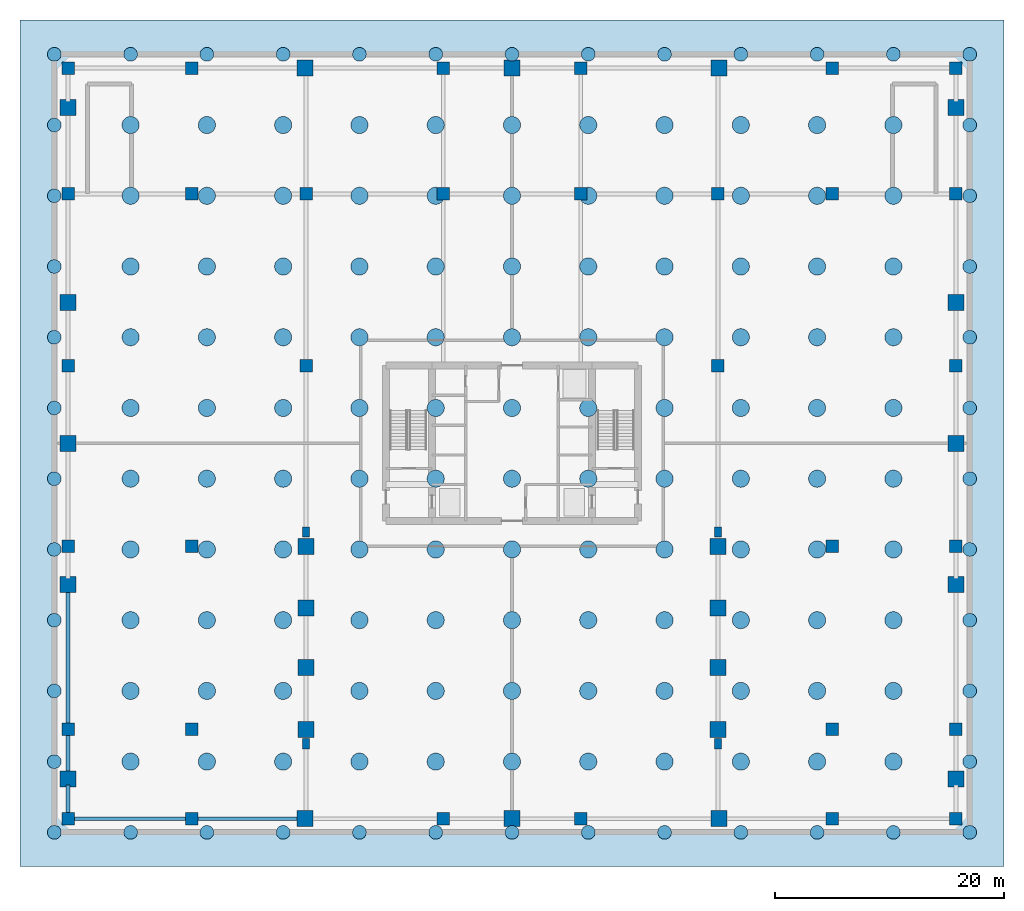
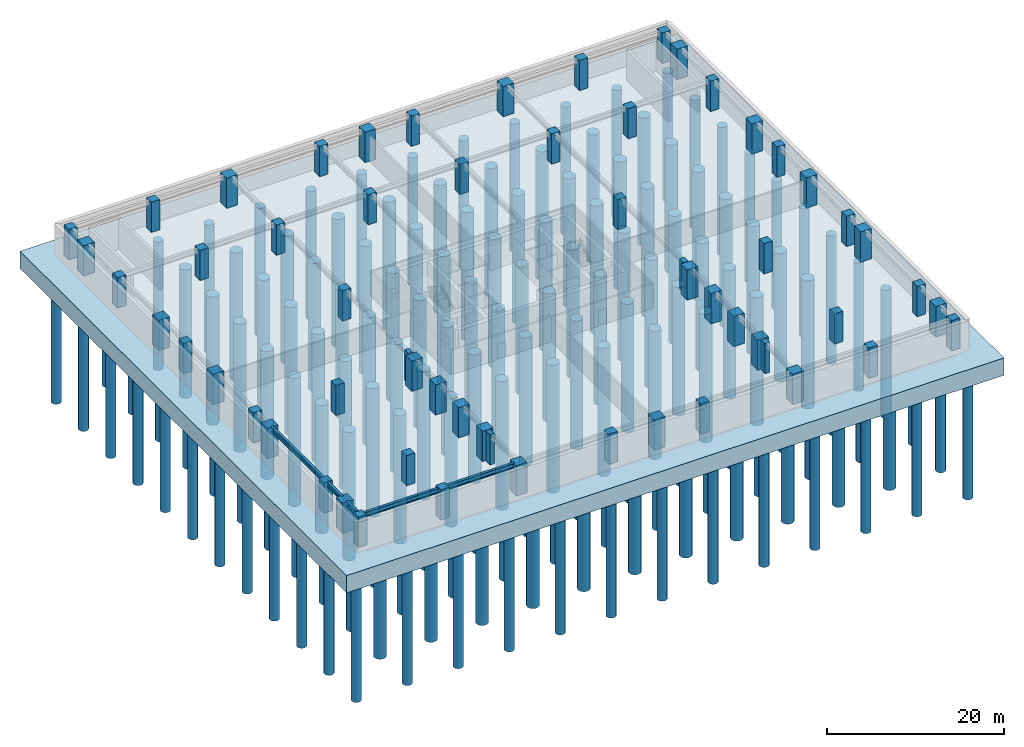
# One storey, part 1 of 8: 156 piles, 60 columns, 5 beams, 1 footing.
"""IFC4 building model written with IfcOpenShell, lengths in metres."""

from ifc_helpers import new_model, si_unit, direction, frame, origin, origin_2d, place, context, subcontext, project, spatial, polyline, rectangle, circle, i_section, outline, extrude, material, layer, layer_set, material_profile, profile_set, type_object, element, save


model = new_model("IFC4")

# Units and contexts
model_context = context("Model", 3, precision=1e-05, world=origin(), true_north=direction((0.0, 1.0)))
body_context = subcontext(model_context, "Body", "Model", "MODEL_VIEW")
ifc_project = project(units=[si_unit("LENGTHUNIT", "METRE"), si_unit("AREAUNIT", "SQUARE_METRE"), si_unit("VOLUMEUNIT", "CUBIC_METRE"), si_unit("PLANEANGLEUNIT", "RADIAN"), si_unit("MASSUNIT", "GRAM", prefix="KILO")], contexts=[model_context])

# Site, building, storey
site_placement = place(None, origin())
site = spatial("IfcSite", under=ifc_project, at=site_placement, CompositionType="ELEMENT")
building_placement = place(site_placement, origin())
building = spatial("IfcBuilding", under=site, at=building_placement, Name="Sarneth Arch Tower", CompositionType="ELEMENT")
storey_placement = place(building_placement, frame((0.0, 0.0, -9.0)))
storey = spatial("IfcBuildingStorey", under=building, at=storey_placement, Name="B02", CompositionType="ELEMENT", Elevation=-9.0)

# Footing
ifc_material_1 = material(Name="Concrete C60/75", Category="concrete")
ifc_layer = layer(ifc_material_1, 2.39990234375)
ifc_layer_set = layer_set([ifc_layer], Name="Concrete C60/75")
footing_type = type_object("IfcFootingType", Name="FTG-RAFT-2400", PredefinedType="PILE_CAP", material=ifc_layer_set)
footing_placement = place(storey_placement, frame((0.0, 0.0, -2.800048828125)))
element("IfcFooting", 1, at=footing_placement, inside=storey, type_object=footing_type, Name="Combined piled foundation raft FT-1", PredefinedType="PILE_CAP", context=body_context, shape_type="SweptSolid", body=[
    extrude(outline(polyline([(5.0, 5.0), (91.0, 5.0), (91.0, 79.0), (5.0, 79.0), (5.0, 5.0)])), origin(), (0.0, 0.0, 1.0), 2.400146484375),
])

# Piles
ifc_material_2 = material(Name="Concrete C60/75", Category="concrete")
ifc_material_profile_1 = material_profile(ifc_material_2, circle(Radius=0.60009765625, at=origin_2d()), Name="PILE-D1200")
ifc_profile_set_1 = profile_set([ifc_material_profile_1], Name="Concrete C60/75")
pile_type_1 = type_object("IfcPileType", Name="PILE-BORED-1200", PredefinedType="BORED", material=ifc_profile_set_1)
for number, where, z_axis, x_axis, name in (
    (2, (8.0, 8.0, -2.64990234375), (0.0, 0.0, -1.0), (1.0, 0.0, 0.0), "Bored pile P2-001"),
    (3, (8.0, 14.181884765625, -2.64990234375), (0.0, 0.0, -1.0), (1.0, 0.0, 0.0), "Bored pile P2-002"),
    (4, (8.0, 20.363525390625, -2.64990234375), (0.0, 0.0, -1.0), (1.0, 0.0, 0.0), "Bored pile P2-003"),
    (5, (8.0, 26.54541015625, -2.64990234375), (0.0, 0.0, -1.0), (1.0, 0.0, 0.0), "Bored pile P2-004"),
    (6, (8.0, 32.727294921875, -2.64990234375), (0.0, 0.0, -1.0), (1.0, 0.0, 0.0), "Bored pile P2-005"),
    (7, (8.0, 38.9091796875, -2.64990234375), (0.0, 0.0, -1.0), (1.0, 0.0, 0.0), "Bored pile P2-006"),
    (8, (8.0, 45.0908203125, -2.64990234375), (0.0, 0.0, -1.0), (1.0, 0.0, 0.0), "Bored pile P2-007"),
    (9, (8.0, 51.272705078125, -2.64990234375), (0.0, 0.0, -1.0), (1.0, 0.0, 0.0), "Bored pile P2-008"),
    (10, (8.0, 57.45458984375, -2.64990234375), (0.0, 0.0, -1.0), (1.0, 0.0, 0.0), "Bored pile P2-009"),
    (11, (8.0, 63.636474609375, -2.64990234375), (0.0, 0.0, -1.0), (1.0, 0.0, 0.0), "Bored pile P2-010"),
    (12, (8.0, 69.818115234375, -2.64990234375), (0.0, 0.0, -1.0), (1.0, 0.0, 0.0), "Bored pile P2-011"),
    (13, (8.0, 76.0, -2.64990234375), (0.0, 0.0, -1.0), (1.0, 0.0, 0.0), "Bored pile P2-012"),
    (14, (14.666748046875, 8.0, -2.64990234375), (0.0, 0.0, -1.0), (1.0, 0.0, 0.0), "Bored pile P2-013"),
    (15, (14.666748046875, 76.0, -2.64990234375), (0.0, 0.0, -1.0), (1.0, 0.0, 0.0), "Bored pile P2-024"),
    (16, (21.333251953125, 8.0, -2.64990234375), (0.0, 0.0, -1.0), (1.0, 0.0, 0.0), "Bored pile P2-025"),
    (17, (21.333251953125, 76.0, -2.64990234375), (0.0, 0.0, -1.0), (1.0, 0.0, 0.0), "Bored pile P2-036"),
    (18, (28.0, 8.0, -2.64990234375), (0.0, 0.0, -1.0), (1.0, 0.0, 0.0), "Bored pile P2-037"),
    (19, (28.0, 76.0, -2.64990234375), (0.0, 0.0, -1.0), (1.0, 0.0, 0.0), "Bored pile P2-048"),
    (20, (34.666748046875, 8.0, -2.64990234375), (0.0, 0.0, -1.0), (1.0, 0.0, 0.0), "Bored pile P2-049"),
    (21, (34.666748046875, 76.0, -2.64990234375), (0.0, 0.0, -1.0), (1.0, 0.0, 0.0), "Bored pile P2-060"),
    (22, (41.333251953125, 8.0, -2.64990234375), (0.0, 0.0, -1.0), (1.0, 0.0, 0.0), "Bored pile P2-061"),
    (23, (41.333251953125, 76.0, -2.64990234375), (0.0, 0.0, -1.0), (1.0, 0.0, 0.0), "Bored pile P2-072"),
    (24, (48.0, 8.0, -2.64990234375), (0.0, 0.0, -1.0), (1.0, 0.0, 0.0), "Bored pile P2-073"),
    (25, (48.0, 76.0, -2.64990234375), (0.0, 0.0, -1.0), (1.0, 0.0, 0.0), "Bored pile P2-084"),
    (26, (54.666748046875, 8.0, -2.64990234375), (0.0, 0.0, -1.0), (1.0, 0.0, 0.0), "Bored pile P2-085"),
    (27, (54.666748046875, 76.0, -2.64990234375), (0.0, 0.0, -1.0), (1.0, 0.0, 0.0), "Bored pile P2-096"),
    (28, (61.333251953125, 8.0, -2.64990234375), (0.0, 0.0, -1.0), (1.0, 0.0, 0.0), "Bored pile P2-097"),
    (29, (61.333251953125, 76.0, -2.64990234375), (0.0, 0.0, -1.0), (1.0, 0.0, 0.0), "Bored pile P2-108"),
    (30, (68.0, 8.0, -2.64990234375), (0.0, 0.0, -1.0), (1.0, 0.0, 0.0), "Bored pile P2-109"),
    (31, (68.0, 76.0, -2.64990234375), (0.0, 0.0, -1.0), (1.0, 0.0, 0.0), "Bored pile P2-120"),
    (32, (74.666748046875, 8.0, -2.64990234375), (0.0, 0.0, -1.0), (1.0, 0.0, 0.0), "Bored pile P2-121"),
    (33, (74.666748046875, 76.0, -2.64990234375), (0.0, 0.0, -1.0), (1.0, 0.0, 0.0), "Bored pile P2-132"),
    (34, (81.333251953125, 8.0, -2.64990234375), (0.0, 0.0, -1.0), (1.0, 0.0, 0.0), "Bored pile P2-133"),
    (35, (81.333251953125, 76.0, -2.64990234375), (0.0, 0.0, -1.0), (1.0, 0.0, 0.0), "Bored pile P2-144"),
    (36, (88.0, 8.0, -2.64990234375), (0.0, 0.0, -1.0), (1.0, 0.0, 0.0), "Bored pile P2-145"),
    (37, (88.0, 14.181884765625, -2.64990234375), (0.0, 0.0, -1.0), (1.0, 0.0, 0.0), "Bored pile P2-146"),
    (38, (88.0, 20.363525390625, -2.64990234375), (0.0, 0.0, -1.0), (1.0, 0.0, 0.0), "Bored pile P2-147"),
    (39, (88.0, 26.54541015625, -2.64990234375), (0.0, 0.0, -1.0), (1.0, 0.0, 0.0), "Bored pile P2-148"),
    (40, (88.0, 32.727294921875, -2.64990234375), (0.0, 0.0, -1.0), (1.0, 0.0, 0.0), "Bored pile P2-149"),
    (41, (88.0, 38.9091796875, -2.64990234375), (0.0, 0.0, -1.0), (1.0, 0.0, 0.0), "Bored pile P2-150"),
    (42, (88.0, 45.0908203125, -2.64990234375), (0.0, 0.0, -1.0), (1.0, 0.0, 0.0), "Bored pile P2-151"),
    (43, (88.0, 51.272705078125, -2.64990234375), (0.0, 0.0, -1.0), (1.0, 0.0, 0.0), "Bored pile P2-152"),
    (44, (88.0, 57.45458984375, -2.64990234375), (0.0, 0.0, -1.0), (1.0, 0.0, 0.0), "Bored pile P2-153"),
    (45, (88.0, 63.636474609375, -2.64990234375), (0.0, 0.0, -1.0), (1.0, 0.0, 0.0), "Bored pile P2-154"),
    (46, (88.0, 69.818115234375, -2.64990234375), (0.0, 0.0, -1.0), (1.0, 0.0, 0.0), "Bored pile P2-155"),
    (47, (88.0, 76.0, -2.64990234375), (0.0, 0.0, -1.0), (1.0, 0.0, 0.0), "Bored pile P2-156"),
):
    element("IfcPile", number, at=place(storey_placement, frame(where, z_axis=z_axis, x_axis=x_axis)), inside=storey, type_object=pile_type_1, Name=name, PredefinedType="BORED", context=body_context, shape_type="SweptSolid", body=[
        extrude(circle(Radius=0.60009765625, at=origin_2d()), origin(), (0.0, 0.0, 1.0), 17.75),
    ])
ifc_material_3 = material(Name="Concrete C60/75", Category="concrete")
ifc_material_profile_2 = material_profile(ifc_material_3, circle(Radius=0.75, at=origin_2d()), Name="PILE-D1500")
ifc_profile_set_2 = profile_set([ifc_material_profile_2], Name="Concrete C60/75")
pile_type_2 = type_object("IfcPileType", Name="PILE-BORED-1500", PredefinedType="BORED", material=ifc_profile_set_2)
for number, where, z_axis, x_axis, name in (
    (48, (14.666748046875, 14.181884765625, -2.64990234375), (0.0, 0.0, -1.0), (1.0, 0.0, 0.0), "Bored pile P1-014"),
    (49, (14.666748046875, 20.363525390625, -2.64990234375), (0.0, 0.0, -1.0), (1.0, 0.0, 0.0), "Bored pile P1-015"),
    (50, (14.666748046875, 26.54541015625, -2.64990234375), (0.0, 0.0, -1.0), (1.0, 0.0, 0.0), "Bored pile P1-016"),
    (51, (14.666748046875, 32.727294921875, -2.64990234375), (0.0, 0.0, -1.0), (1.0, 0.0, 0.0), "Bored pile P1-017"),
    (52, (14.666748046875, 38.9091796875, -2.64990234375), (0.0, 0.0, -1.0), (1.0, 0.0, 0.0), "Bored pile P1-018"),
    (53, (14.666748046875, 45.0908203125, -2.64990234375), (0.0, 0.0, -1.0), (1.0, 0.0, 0.0), "Bored pile P1-019"),
    (54, (14.666748046875, 51.272705078125, -2.64990234375), (0.0, 0.0, -1.0), (1.0, 0.0, 0.0), "Bored pile P1-020"),
    (55, (14.666748046875, 57.45458984375, -2.64990234375), (0.0, 0.0, -1.0), (1.0, 0.0, 0.0), "Bored pile P1-021"),
    (56, (14.666748046875, 63.636474609375, -2.64990234375), (0.0, 0.0, -1.0), (1.0, 0.0, 0.0), "Bored pile P1-022"),
    (57, (14.666748046875, 69.818115234375, -2.64990234375), (0.0, 0.0, -1.0), (1.0, 0.0, 0.0), "Bored pile P1-023"),
    (58, (21.333251953125, 14.181884765625, -2.64990234375), (0.0, 0.0, -1.0), (1.0, 0.0, 0.0), "Bored pile P1-026"),
    (59, (21.333251953125, 20.363525390625, -2.64990234375), (0.0, 0.0, -1.0), (1.0, 0.0, 0.0), "Bored pile P1-027"),
    (60, (21.333251953125, 26.54541015625, -2.64990234375), (0.0, 0.0, -1.0), (1.0, 0.0, 0.0), "Bored pile P1-028"),
    (61, (21.333251953125, 32.727294921875, -2.64990234375), (0.0, 0.0, -1.0), (1.0, 0.0, 0.0), "Bored pile P1-029"),
    (62, (21.333251953125, 38.9091796875, -2.64990234375), (0.0, 0.0, -1.0), (1.0, 0.0, 0.0), "Bored pile P1-030"),
    (63, (21.333251953125, 45.0908203125, -2.64990234375), (0.0, 0.0, -1.0), (1.0, 0.0, 0.0), "Bored pile P1-031"),
    (64, (21.333251953125, 51.272705078125, -2.64990234375), (0.0, 0.0, -1.0), (1.0, 0.0, 0.0), "Bored pile P1-032"),
    (65, (21.333251953125, 57.45458984375, -2.64990234375), (0.0, 0.0, -1.0), (1.0, 0.0, 0.0), "Bored pile P1-033"),
    (66, (21.333251953125, 63.636474609375, -2.64990234375), (0.0, 0.0, -1.0), (1.0, 0.0, 0.0), "Bored pile P1-034"),
    (67, (21.333251953125, 69.818115234375, -2.64990234375), (0.0, 0.0, -1.0), (1.0, 0.0, 0.0), "Bored pile P1-035"),
    (68, (28.0, 14.181884765625, -2.64990234375), (0.0, 0.0, -1.0), (1.0, 0.0, 0.0), "Bored pile P1-038"),
    (69, (28.0, 20.363525390625, -2.64990234375), (0.0, 0.0, -1.0), (1.0, 0.0, 0.0), "Bored pile P1-039"),
    (70, (28.0, 26.54541015625, -2.64990234375), (0.0, 0.0, -1.0), (1.0, 0.0, 0.0), "Bored pile P1-040"),
    (71, (28.0, 32.727294921875, -2.64990234375), (0.0, 0.0, -1.0), (1.0, 0.0, 0.0), "Bored pile P1-041"),
    (72, (28.0, 38.9091796875, -2.64990234375), (0.0, 0.0, -1.0), (1.0, 0.0, 0.0), "Bored pile P1-042"),
    (73, (28.0, 45.0908203125, -2.64990234375), (0.0, 0.0, -1.0), (1.0, 0.0, 0.0), "Bored pile P1-043"),
    (74, (28.0, 51.272705078125, -2.64990234375), (0.0, 0.0, -1.0), (1.0, 0.0, 0.0), "Bored pile P1-044"),
    (75, (28.0, 57.45458984375, -2.64990234375), (0.0, 0.0, -1.0), (1.0, 0.0, 0.0), "Bored pile P1-045"),
    (76, (28.0, 63.636474609375, -2.64990234375), (0.0, 0.0, -1.0), (1.0, 0.0, 0.0), "Bored pile P1-046"),
    (77, (28.0, 69.818115234375, -2.64990234375), (0.0, 0.0, -1.0), (1.0, 0.0, 0.0), "Bored pile P1-047"),
    (78, (34.666748046875, 14.181884765625, -2.64990234375), (0.0, 0.0, -1.0), (1.0, 0.0, 0.0), "Bored pile P1-050"),
    (79, (34.666748046875, 20.363525390625, -2.64990234375), (0.0, 0.0, -1.0), (1.0, 0.0, 0.0), "Bored pile P1-051"),
    (80, (34.666748046875, 26.54541015625, -2.64990234375), (0.0, 0.0, -1.0), (1.0, 0.0, 0.0), "Bored pile P1-052"),
    (81, (34.666748046875, 32.727294921875, -2.64990234375), (0.0, 0.0, -1.0), (1.0, 0.0, 0.0), "Bored pile P1-053"),
    (82, (34.666748046875, 38.9091796875, -2.64990234375), (0.0, 0.0, -1.0), (1.0, 0.0, 0.0), "Bored pile P1-054"),
    (83, (34.666748046875, 45.0908203125, -2.64990234375), (0.0, 0.0, -1.0), (1.0, 0.0, 0.0), "Bored pile P1-055"),
    (84, (34.666748046875, 51.272705078125, -2.64990234375), (0.0, 0.0, -1.0), (1.0, 0.0, 0.0), "Bored pile P1-056"),
    (85, (34.666748046875, 57.45458984375, -2.64990234375), (0.0, 0.0, -1.0), (1.0, 0.0, 0.0), "Bored pile P1-057"),
    (86, (34.666748046875, 63.636474609375, -2.64990234375), (0.0, 0.0, -1.0), (1.0, 0.0, 0.0), "Bored pile P1-058"),
    (87, (34.666748046875, 69.818115234375, -2.64990234375), (0.0, 0.0, -1.0), (1.0, 0.0, 0.0), "Bored pile P1-059"),
    (88, (41.333251953125, 14.181884765625, -2.64990234375), (0.0, 0.0, -1.0), (1.0, 0.0, 0.0), "Bored pile P1-062"),
    (89, (41.333251953125, 20.363525390625, -2.64990234375), (0.0, 0.0, -1.0), (1.0, 0.0, 0.0), "Bored pile P1-063"),
    (90, (41.333251953125, 26.54541015625, -2.64990234375), (0.0, 0.0, -1.0), (1.0, 0.0, 0.0), "Bored pile P1-064"),
    (91, (41.333251953125, 32.727294921875, -2.64990234375), (0.0, 0.0, -1.0), (1.0, 0.0, 0.0), "Bored pile P1-065"),
    (92, (41.333251953125, 38.9091796875, -2.64990234375), (0.0, 0.0, -1.0), (1.0, 0.0, 0.0), "Bored pile P1-066"),
    (93, (41.333251953125, 45.0908203125, -2.64990234375), (0.0, 0.0, -1.0), (1.0, 0.0, 0.0), "Bored pile P1-067"),
    (94, (41.333251953125, 51.272705078125, -2.64990234375), (0.0, 0.0, -1.0), (1.0, 0.0, 0.0), "Bored pile P1-068"),
    (95, (41.333251953125, 57.45458984375, -2.64990234375), (0.0, 0.0, -1.0), (1.0, 0.0, 0.0), "Bored pile P1-069"),
    (96, (41.333251953125, 63.636474609375, -2.64990234375), (0.0, 0.0, -1.0), (1.0, 0.0, 0.0), "Bored pile P1-070"),
    (97, (41.333251953125, 69.818115234375, -2.64990234375), (0.0, 0.0, -1.0), (1.0, 0.0, 0.0), "Bored pile P1-071"),
    (98, (48.0, 14.181884765625, -2.64990234375), (0.0, 0.0, -1.0), (1.0, 0.0, 0.0), "Bored pile P1-074"),
    (99, (48.0, 20.363525390625, -2.64990234375), (0.0, 0.0, -1.0), (1.0, 0.0, 0.0), "Bored pile P1-075"),
    (100, (48.0, 26.54541015625, -2.64990234375), (0.0, 0.0, -1.0), (1.0, 0.0, 0.0), "Bored pile P1-076"),
    (101, (48.0, 32.727294921875, -2.64990234375), (0.0, 0.0, -1.0), (1.0, 0.0, 0.0), "Bored pile P1-077"),
    (102, (48.0, 38.9091796875, -2.64990234375), (0.0, 0.0, -1.0), (1.0, 0.0, 0.0), "Bored pile P1-078"),
    (103, (48.0, 45.0908203125, -2.64990234375), (0.0, 0.0, -1.0), (1.0, 0.0, 0.0), "Bored pile P1-079"),
    (104, (48.0, 51.272705078125, -2.64990234375), (0.0, 0.0, -1.0), (1.0, 0.0, 0.0), "Bored pile P1-080"),
    (105, (48.0, 57.45458984375, -2.64990234375), (0.0, 0.0, -1.0), (1.0, 0.0, 0.0), "Bored pile P1-081"),
    (106, (48.0, 63.636474609375, -2.64990234375), (0.0, 0.0, -1.0), (1.0, 0.0, 0.0), "Bored pile P1-082"),
    (107, (48.0, 69.818115234375, -2.64990234375), (0.0, 0.0, -1.0), (1.0, 0.0, 0.0), "Bored pile P1-083"),
    (108, (54.666748046875, 14.181884765625, -2.64990234375), (0.0, 0.0, -1.0), (1.0, 0.0, 0.0), "Bored pile P1-086"),
    (109, (54.666748046875, 20.363525390625, -2.64990234375), (0.0, 0.0, -1.0), (1.0, 0.0, 0.0), "Bored pile P1-087"),
    (110, (54.666748046875, 26.54541015625, -2.64990234375), (0.0, 0.0, -1.0), (1.0, 0.0, 0.0), "Bored pile P1-088"),
    (111, (54.666748046875, 32.727294921875, -2.64990234375), (0.0, 0.0, -1.0), (1.0, 0.0, 0.0), "Bored pile P1-089"),
    (112, (54.666748046875, 38.9091796875, -2.64990234375), (0.0, 0.0, -1.0), (1.0, 0.0, 0.0), "Bored pile P1-090"),
    (113, (54.666748046875, 45.0908203125, -2.64990234375), (0.0, 0.0, -1.0), (1.0, 0.0, 0.0), "Bored pile P1-091"),
    (114, (54.666748046875, 51.272705078125, -2.64990234375), (0.0, 0.0, -1.0), (1.0, 0.0, 0.0), "Bored pile P1-092"),
    (115, (54.666748046875, 57.45458984375, -2.64990234375), (0.0, 0.0, -1.0), (1.0, 0.0, 0.0), "Bored pile P1-093"),
    (116, (54.666748046875, 63.636474609375, -2.64990234375), (0.0, 0.0, -1.0), (1.0, 0.0, 0.0), "Bored pile P1-094"),
    (117, (54.666748046875, 69.818115234375, -2.64990234375), (0.0, 0.0, -1.0), (1.0, 0.0, 0.0), "Bored pile P1-095"),
    (118, (61.333251953125, 14.181884765625, -2.64990234375), (0.0, 0.0, -1.0), (1.0, 0.0, 0.0), "Bored pile P1-098"),
    (119, (61.333251953125, 20.363525390625, -2.64990234375), (0.0, 0.0, -1.0), (1.0, 0.0, 0.0), "Bored pile P1-099"),
    (120, (61.333251953125, 26.54541015625, -2.64990234375), (0.0, 0.0, -1.0), (1.0, 0.0, 0.0), "Bored pile P1-100"),
    (121, (61.333251953125, 32.727294921875, -2.64990234375), (0.0, 0.0, -1.0), (1.0, 0.0, 0.0), "Bored pile P1-101"),
    (122, (61.333251953125, 38.9091796875, -2.64990234375), (0.0, 0.0, -1.0), (1.0, 0.0, 0.0), "Bored pile P1-102"),
    (123, (61.333251953125, 45.0908203125, -2.64990234375), (0.0, 0.0, -1.0), (1.0, 0.0, 0.0), "Bored pile P1-103"),
    (124, (61.333251953125, 51.272705078125, -2.64990234375), (0.0, 0.0, -1.0), (1.0, 0.0, 0.0), "Bored pile P1-104"),
    (125, (61.333251953125, 57.45458984375, -2.64990234375), (0.0, 0.0, -1.0), (1.0, 0.0, 0.0), "Bored pile P1-105"),
    (126, (61.333251953125, 63.636474609375, -2.64990234375), (0.0, 0.0, -1.0), (1.0, 0.0, 0.0), "Bored pile P1-106"),
    (127, (61.333251953125, 69.818115234375, -2.64990234375), (0.0, 0.0, -1.0), (1.0, 0.0, 0.0), "Bored pile P1-107"),
    (128, (68.0, 14.181884765625, -2.64990234375), (0.0, 0.0, -1.0), (1.0, 0.0, 0.0), "Bored pile P1-110"),
    (129, (68.0, 20.363525390625, -2.64990234375), (0.0, 0.0, -1.0), (1.0, 0.0, 0.0), "Bored pile P1-111"),
    (130, (68.0, 26.54541015625, -2.64990234375), (0.0, 0.0, -1.0), (1.0, 0.0, 0.0), "Bored pile P1-112"),
    (131, (68.0, 32.727294921875, -2.64990234375), (0.0, 0.0, -1.0), (1.0, 0.0, 0.0), "Bored pile P1-113"),
    (132, (68.0, 38.9091796875, -2.64990234375), (0.0, 0.0, -1.0), (1.0, 0.0, 0.0), "Bored pile P1-114"),
    (133, (68.0, 45.0908203125, -2.64990234375), (0.0, 0.0, -1.0), (1.0, 0.0, 0.0), "Bored pile P1-115"),
    (134, (68.0, 51.272705078125, -2.64990234375), (0.0, 0.0, -1.0), (1.0, 0.0, 0.0), "Bored pile P1-116"),
    (135, (68.0, 57.45458984375, -2.64990234375), (0.0, 0.0, -1.0), (1.0, 0.0, 0.0), "Bored pile P1-117"),
    (136, (68.0, 63.636474609375, -2.64990234375), (0.0, 0.0, -1.0), (1.0, 0.0, 0.0), "Bored pile P1-118"),
    (137, (68.0, 69.818115234375, -2.64990234375), (0.0, 0.0, -1.0), (1.0, 0.0, 0.0), "Bored pile P1-119"),
    (138, (74.666748046875, 14.181884765625, -2.64990234375), (0.0, 0.0, -1.0), (1.0, 0.0, 0.0), "Bored pile P1-122"),
    (139, (74.666748046875, 20.363525390625, -2.64990234375), (0.0, 0.0, -1.0), (1.0, 0.0, 0.0), "Bored pile P1-123"),
    (140, (74.666748046875, 26.54541015625, -2.64990234375), (0.0, 0.0, -1.0), (1.0, 0.0, 0.0), "Bored pile P1-124"),
    (141, (74.666748046875, 32.727294921875, -2.64990234375), (0.0, 0.0, -1.0), (1.0, 0.0, 0.0), "Bored pile P1-125"),
    (142, (74.666748046875, 38.9091796875, -2.64990234375), (0.0, 0.0, -1.0), (1.0, 0.0, 0.0), "Bored pile P1-126"),
    (143, (74.666748046875, 45.0908203125, -2.64990234375), (0.0, 0.0, -1.0), (1.0, 0.0, 0.0), "Bored pile P1-127"),
    (144, (74.666748046875, 51.272705078125, -2.64990234375), (0.0, 0.0, -1.0), (1.0, 0.0, 0.0), "Bored pile P1-128"),
    (145, (74.666748046875, 57.45458984375, -2.64990234375), (0.0, 0.0, -1.0), (1.0, 0.0, 0.0), "Bored pile P1-129"),
    (146, (74.666748046875, 63.636474609375, -2.64990234375), (0.0, 0.0, -1.0), (1.0, 0.0, 0.0), "Bored pile P1-130"),
    (147, (74.666748046875, 69.818115234375, -2.64990234375), (0.0, 0.0, -1.0), (1.0, 0.0, 0.0), "Bored pile P1-131"),
    (148, (81.333251953125, 14.181884765625, -2.64990234375), (0.0, 0.0, -1.0), (1.0, 0.0, 0.0), "Bored pile P1-134"),
    (149, (81.333251953125, 20.363525390625, -2.64990234375), (0.0, 0.0, -1.0), (1.0, 0.0, 0.0), "Bored pile P1-135"),
    (150, (81.333251953125, 26.54541015625, -2.64990234375), (0.0, 0.0, -1.0), (1.0, 0.0, 0.0), "Bored pile P1-136"),
    (151, (81.333251953125, 32.727294921875, -2.64990234375), (0.0, 0.0, -1.0), (1.0, 0.0, 0.0), "Bored pile P1-137"),
    (152, (81.333251953125, 38.9091796875, -2.64990234375), (0.0, 0.0, -1.0), (1.0, 0.0, 0.0), "Bored pile P1-138"),
    (153, (81.333251953125, 45.0908203125, -2.64990234375), (0.0, 0.0, -1.0), (1.0, 0.0, 0.0), "Bored pile P1-139"),
    (154, (81.333251953125, 51.272705078125, -2.64990234375), (0.0, 0.0, -1.0), (1.0, 0.0, 0.0), "Bored pile P1-140"),
    (155, (81.333251953125, 57.45458984375, -2.64990234375), (0.0, 0.0, -1.0), (1.0, 0.0, 0.0), "Bored pile P1-141"),
    (156, (81.333251953125, 63.636474609375, -2.64990234375), (0.0, 0.0, -1.0), (1.0, 0.0, 0.0), "Bored pile P1-142"),
    (157, (81.333251953125, 69.818115234375, -2.64990234375), (0.0, 0.0, -1.0), (1.0, 0.0, 0.0), "Bored pile P1-143"),
):
    element("IfcPile", number, at=place(storey_placement, frame(where, z_axis=z_axis, x_axis=x_axis)), inside=storey, type_object=pile_type_2, Name=name, PredefinedType="BORED", context=body_context, shape_type="SweptSolid", body=[
        extrude(circle(Radius=0.75, at=origin_2d()), origin(), (0.0, 0.0, 1.0), 17.75),
    ])

# Columns
ifc_material_4 = material(Name="Concrete C60/75", Category="concrete")
ifc_material_profile_3 = material_profile(ifc_material_4, rectangle(XDim=1.10009765625, YDim=1.10009765625, at=origin_2d()), Name="RC-1100x1100")
ifc_profile_set_3 = profile_set([ifc_material_profile_3], Name="Concrete C60/75")
column_type_1 = type_object("IfcColumnType", Name="COL-RC-1100", PredefinedType="COLUMN", material=ifc_profile_set_3)
for number, where, z_axis, x_axis, name in (
    (158, (9.199951171875, 74.800048828125, 0.0), (0.0, 0.0, 1.0), (1.0, 0.0, 0.0), "B02 Podium column PN01"),
    (159, (9.199951171875, 9.199951171875, 0.0), (0.0, 0.0, 1.0), (1.0, 0.0, 0.0), "B02 Podium column PS01"),
    (160, (9.199951171875, 63.800048828125, 0.0), (0.0, 0.0, 1.0), (1.0, 0.0, 0.0), "B02 Podium column PC01"),
    (161, (20.0, 74.800048828125, 0.0), (0.0, 0.0, 1.0), (1.0, 0.0, 0.0), "B02 Podium column PN02"),
    (162, (20.0, 9.199951171875, 0.0), (0.0, 0.0, 1.0), (1.0, 0.0, 0.0), "B02 Podium column PS02"),
    (163, (20.0, 63.800048828125, 0.0), (0.0, 0.0, 1.0), (1.0, 0.0, 0.0), "B02 Podium column PC02"),
    (164, (30.0, 63.800048828125, 0.0), (0.0, 0.0, 1.0), (1.0, 0.0, 0.0), "B02 Podium column PC03"),
    (165, (42.0, 74.800048828125, 0.0), (0.0, 0.0, 1.0), (1.0, 0.0, 0.0), "B02 Podium column PN04"),
    (166, (42.0, 9.199951171875, 0.0), (0.0, 0.0, 1.0), (1.0, 0.0, 0.0), "B02 Podium column PS04"),
    (167, (42.0, 63.800048828125, 0.0), (0.0, 0.0, 1.0), (1.0, 0.0, 0.0), "B02 Podium column PC04"),
    (168, (54.0, 74.800048828125, 0.0), (0.0, 0.0, 1.0), (1.0, 0.0, 0.0), "B02 Podium column PN05"),
    (169, (54.0, 9.199951171875, 0.0), (0.0, 0.0, 1.0), (1.0, 0.0, 0.0), "B02 Podium column PS05"),
    (170, (54.0, 63.800048828125, 0.0), (0.0, 0.0, 1.0), (1.0, 0.0, 0.0), "B02 Podium column PC05"),
    (171, (66.0, 63.800048828125, 0.0), (0.0, 0.0, 1.0), (1.0, 0.0, 0.0), "B02 Podium column PC06"),
    (172, (76.0, 74.800048828125, 0.0), (0.0, 0.0, 1.0), (1.0, 0.0, 0.0), "B02 Podium column PN07"),
    (173, (76.0, 9.199951171875, 0.0), (0.0, 0.0, 1.0), (1.0, 0.0, 0.0), "B02 Podium column PS07"),
    (174, (76.0, 63.800048828125, 0.0), (0.0, 0.0, 1.0), (1.0, 0.0, 0.0), "B02 Podium column PC07"),
    (175, (86.800048828125, 74.800048828125, 0.0), (0.0, 0.0, 1.0), (1.0, 0.0, 0.0), "B02 Podium column PN08"),
    (176, (86.800048828125, 9.199951171875, 0.0), (0.0, 0.0, 1.0), (1.0, 0.0, 0.0), "B02 Podium column PS08"),
    (177, (86.800048828125, 63.800048828125, 0.0), (0.0, 0.0, 1.0), (1.0, 0.0, 0.0), "B02 Podium column PC08"),
    (178, (9.199951171875, 17.0, 0.0), (0.0, 0.0, 1.0), (1.0, 0.0, 0.0), "B02 Podium column PW01"),
    (179, (86.800048828125, 17.0, 0.0), (0.0, 0.0, 1.0), (1.0, 0.0, 0.0), "B02 Podium column PE01"),
    (180, (9.199951171875, 33.0, 0.0), (0.0, 0.0, 1.0), (1.0, 0.0, 0.0), "B02 Podium column PW02"),
    (181, (86.800048828125, 33.0, 0.0), (0.0, 0.0, 1.0), (1.0, 0.0, 0.0), "B02 Podium column PE02"),
    (182, (9.199951171875, 48.800048828125, 0.0), (0.0, 0.0, 1.0), (1.0, 0.0, 0.0), "B02 Podium column PW03"),
    (183, (86.800048828125, 48.800048828125, 0.0), (0.0, 0.0, 1.0), (1.0, 0.0, 0.0), "B02 Podium column PE03"),
    (184, (20.0, 17.0, 0.0), (0.0, 0.0, 1.0), (1.0, 0.0, 0.0), "B02 Podium column AS-W1"),
    (185, (76.0, 17.0, 0.0), (0.0, 0.0, 1.0), (1.0, 0.0, 0.0), "B02 Podium column AS-E1"),
    (186, (20.0, 33.0, 0.0), (0.0, 0.0, 1.0), (1.0, 0.0, 0.0), "B02 Podium column AN-W1"),
    (187, (76.0, 33.0, 0.0), (0.0, 0.0, 1.0), (1.0, 0.0, 0.0), "B02 Podium column AN-E1"),
    (188, (30.0, 48.800048828125, 0.0), (0.0, 0.0, 1.0), (1.0, 0.0, 0.0), "B02 Podium column WC-W1"),
    (189, (66.0, 48.800048828125, 0.0), (0.0, 0.0, 1.0), (1.0, 0.0, 0.0), "B02 Podium column WC-E1"),
):
    element("IfcColumn", number, at=place(storey_placement, frame(where, z_axis=z_axis, x_axis=x_axis)), inside=storey, type_object=column_type_1, Name=name, PredefinedType="COLUMN", context=body_context, shape_type="SweptSolid", body=[
        extrude(rectangle(XDim=1.10009765625, YDim=1.10009765625, at=origin_2d()), origin(), (0.0, 0.0, 1.0), 4.179931640625),
    ])
ifc_material_5 = material(Name="Concrete C60/75", Category="concrete")
ifc_material_profile_4 = material_profile(ifc_material_5, rectangle(XDim=1.39990234375, YDim=1.39990234375, at=origin_2d()), Name="RC-1400x1400")
ifc_profile_set_4 = profile_set([ifc_material_profile_4], Name="Concrete C60/75")
column_type_2 = type_object("IfcColumnType", Name="COL-RC-1400", PredefinedType="COLUMN", material=ifc_profile_set_4)
for number, where, z_axis, x_axis, name in (
    (190, (30.0, 17.0, 0.0), (0.0, 0.0, 1.0), (1.0, 0.0, 0.0), "B02 Podium column AP-SW"),
    (191, (66.0, 17.0, 0.0), (0.0, 0.0, 1.0), (1.0, 0.0, 0.0), "B02 Podium column AP-SE"),
    (192, (30.0, 33.0, 0.0), (0.0, 0.0, 1.0), (1.0, 0.0, 0.0), "B02 Podium column AP-NW"),
    (193, (66.0, 33.0, 0.0), (0.0, 0.0, 1.0), (1.0, 0.0, 0.0), "B02 Podium column AP-NE"),
    (194, (86.800048828125, 42.0, 0.0), (0.0, 0.0, 1.0), (1.0, 0.0, 0.0), "B02 Podium column PX01"),
    (195, (86.800048828125, 54.31787109375, 0.0), (0.0, 0.0, 1.0), (1.0, 0.0, 0.0), "B02 Podium column PX02"),
    (196, (86.800048828125, 71.336669921875, 0.0), (0.0, 0.0, 1.0), (1.0, 0.0, 0.0), "B02 Podium column PX03"),
    (197, (66.08447265625, 74.800048828125, 0.0), (0.0, 0.0, 1.0), (1.0, 0.0, 0.0), "B02 Podium column PX04"),
    (198, (48.0, 74.800048828125, 0.0), (0.0, 0.0, 1.0), (1.0, 0.0, 0.0), "B02 Podium column PX05"),
    (199, (29.91552734375, 74.800048828125, 0.0), (0.0, 0.0, 1.0), (1.0, 0.0, 0.0), "B02 Podium column PX06"),
    (200, (9.199951171875, 71.336669921875, 0.0), (0.0, 0.0, 1.0), (1.0, 0.0, 0.0), "B02 Podium column PX07"),
    (201, (9.199951171875, 54.31787109375, 0.0), (0.0, 0.0, 1.0), (1.0, 0.0, 0.0), "B02 Podium column PX08"),
    (202, (9.199951171875, 42.0, 0.0), (0.0, 0.0, 1.0), (1.0, 0.0, 0.0), "B02 Podium column PX09"),
    (203, (9.199951171875, 29.68212890625, 0.0), (0.0, 0.0, 1.0), (1.0, 0.0, 0.0), "B02 Podium column PX10"),
    (204, (9.199951171875, 12.663330078125, 0.0), (0.0, 0.0, 1.0), (1.0, 0.0, 0.0), "B02 Podium column PX11"),
    (205, (29.91552734375, 9.199951171875, 0.0), (0.0, 0.0, 1.0), (1.0, 0.0, 0.0), "B02 Podium column PX12"),
    (206, (48.0, 9.199951171875, 0.0), (0.0, 0.0, 1.0), (1.0, 0.0, 0.0), "B02 Podium column PX13"),
    (207, (66.08447265625, 9.199951171875, 0.0), (0.0, 0.0, 1.0), (1.0, 0.0, 0.0), "B02 Podium column PX14"),
    (208, (86.800048828125, 12.663330078125, 0.0), (0.0, 0.0, 1.0), (1.0, 0.0, 0.0), "B02 Podium column PX15"),
    (209, (86.800048828125, 29.68212890625, 0.0), (0.0, 0.0, 1.0), (1.0, 0.0, 0.0), "B02 Podium column PX16"),
    (210, (30.0, 22.39990234375, 0.0), (0.0, 0.0, 1.0), (1.0, 0.0, 0.0), "B02 Arch springing pier R2W"),
    (211, (66.0, 22.39990234375, 0.0), (0.0, 0.0, 1.0), (1.0, 0.0, 0.0), "B02 Arch springing pier R2E"),
    (212, (30.0, 27.60009765625, 0.0), (0.0, 0.0, 1.0), (1.0, 0.0, 0.0), "B02 Arch springing pier R3W"),
    (213, (66.0, 27.60009765625, 0.0), (0.0, 0.0, 1.0), (1.0, 0.0, 0.0), "B02 Arch springing pier R3E"),
):
    element("IfcColumn", number, at=place(storey_placement, frame(where, z_axis=z_axis, x_axis=x_axis)), inside=storey, type_object=column_type_2, Name=name, PredefinedType="COLUMN", context=body_context, shape_type="SweptSolid", body=[
        extrude(rectangle(XDim=1.39990234375, YDim=1.39990234375, at=origin_2d()), origin(), (0.0, 0.0, 1.0), 4.179931640625),
    ])
ifc_material_6 = material(Name="Concrete C60/75", Category="concrete")
ifc_material_profile_5 = material_profile(ifc_material_6, rectangle(XDim=0.60009765625, YDim=0.89990234375, at=origin_2d()), Name="RC-600x900")
ifc_profile_set_5 = profile_set([ifc_material_profile_5], Name="Concrete C60/75")
column_type_3 = type_object("IfcColumnType", Name="PIL-RC-600x900", PredefinedType="PILASTER", material=ifc_profile_set_5)
for number, where, z_axis, x_axis, name in (
    (214, (30.0, 15.75, 0.0), (0.0, 0.0, 1.0), (1.0, 0.0, 0.0), "B02 Arch pilaster PIL-SW"),
    (215, (30.0, 34.25, 0.0), (0.0, 0.0, 1.0), (1.0, 0.0, 0.0), "B02 Arch pilaster PIL-NW"),
    (216, (66.0, 15.75, 0.0), (0.0, 0.0, 1.0), (1.0, 0.0, 0.0), "B02 Arch pilaster PIL-SE"),
    (217, (66.0, 34.25, 0.0), (0.0, 0.0, 1.0), (1.0, 0.0, 0.0), "B02 Arch pilaster PIL-NE"),
):
    element("IfcColumn", number, at=place(storey_placement, frame(where, z_axis=z_axis, x_axis=x_axis)), inside=storey, type_object=column_type_3, Name=name, PredefinedType="PILASTER", context=body_context, shape_type="SweptSolid", body=[
        extrude(rectangle(XDim=0.60009765625, YDim=0.89990234375, at=origin_2d()), origin(), (0.0, 0.0, 1.0), 4.179931640625),
    ])

# Beams
ifc_material_7 = material(Name="Steel S355", Category="steel")
ifc_material_profile_6 = material_profile(ifc_material_7, i_section(OverallWidth=0.3291015625, OverallDepth=0.635009765625, WebThickness=0.017822265625, FlangeThickness=0.031005859375, FilletRadius=0.01904296875, at=origin_2d()), Name="W610x241")
ifc_profile_set_6 = profile_set([ifc_material_profile_6], Name="Steel S355")
beam_type = type_object("IfcBeamType", Name="BM-POD-610", PredefinedType="BEAM", material=ifc_profile_set_6)
beam_1_placement = place(storey_placement, frame((9.719970703125, 9.199951171875, 3.862548828125), z_axis=(1.0, 0.0, 0.0), x_axis=(0.0, 1.0, 0.0)))
element("IfcBeam", 218, at=beam_1_placement, inside=storey, type_object=beam_type, Name="B02 Podium PS girder 1", PredefinedType="BEAM", context=body_context, shape_type="SweptSolid", body=[
    extrude(i_section(OverallWidth=0.3291015625, OverallDepth=0.635009765625, WebThickness=0.017822265625, FlangeThickness=0.031005859375, FilletRadius=0.01904296875, at=origin_2d()), origin(), (0.0, 0.0, 1.0), 9.760009765625),
])
beam_2_placement = place(storey_placement, frame((20.52001953125, 9.199951171875, 3.862548828125), z_axis=(1.0, 0.0, 0.0), x_axis=(0.0, 1.0, 0.0)))
element("IfcBeam", 219, at=beam_2_placement, inside=storey, type_object=beam_type, Name="B02 Podium PS girder 2", PredefinedType="BEAM", context=body_context, shape_type="SweptSolid", body=[
    extrude(i_section(OverallWidth=0.3291015625, OverallDepth=0.635009765625, WebThickness=0.017822265625, FlangeThickness=0.031005859375, FilletRadius=0.01904296875, at=origin_2d()), origin(), (0.0, 0.0, 1.0), 8.87548828125),
])
beam_3_placement = place(storey_placement, frame((9.199951171875, 9.719970703125, 3.862548828125), z_axis=(0.0, 1.0, 0.0), x_axis=(-1.0, 0.0, 0.0)))
element("IfcBeam", 220, at=beam_3_placement, inside=storey, type_object=beam_type, Name="B02 Podium PW girder 1", PredefinedType="BEAM", context=body_context, shape_type="SweptSolid", body=[
    extrude(i_section(OverallWidth=0.3291015625, OverallDepth=0.635009765625, WebThickness=0.017822265625, FlangeThickness=0.031005859375, FilletRadius=0.01904296875, at=origin_2d()), origin(), (0.0, 0.0, 1.0), 2.42333984375),
])
beam_4_placement = place(storey_placement, frame((9.199951171875, 13.183349609375, 3.862548828125), z_axis=(0.0, 1.0, 0.0), x_axis=(-1.0, 0.0, 0.0)))
element("IfcBeam", 221, at=beam_4_placement, inside=storey, type_object=beam_type, Name="B02 Podium PW girder 2", PredefinedType="BEAM", context=body_context, shape_type="SweptSolid", body=[
    extrude(i_section(OverallWidth=0.3291015625, OverallDepth=0.635009765625, WebThickness=0.017822265625, FlangeThickness=0.031005859375, FilletRadius=0.01904296875, at=origin_2d()), origin(), (0.0, 0.0, 1.0), 3.296630859375),
])
beam_5_placement = place(storey_placement, frame((9.199951171875, 17.52001953125, 3.862548828125), z_axis=(0.0, 1.0, 0.0), x_axis=(-1.0, 0.0, 0.0)))
element("IfcBeam", 222, at=beam_5_placement, inside=storey, type_object=beam_type, Name="B02 Podium PW girder 3", PredefinedType="BEAM", context=body_context, shape_type="SweptSolid", body=[
    extrude(i_section(OverallWidth=0.3291015625, OverallDepth=0.635009765625, WebThickness=0.017822265625, FlangeThickness=0.031005859375, FilletRadius=0.01904296875, at=origin_2d()), origin(), (0.0, 0.0, 1.0), 11.64208984375),
])

save(model, "model.ifc")
